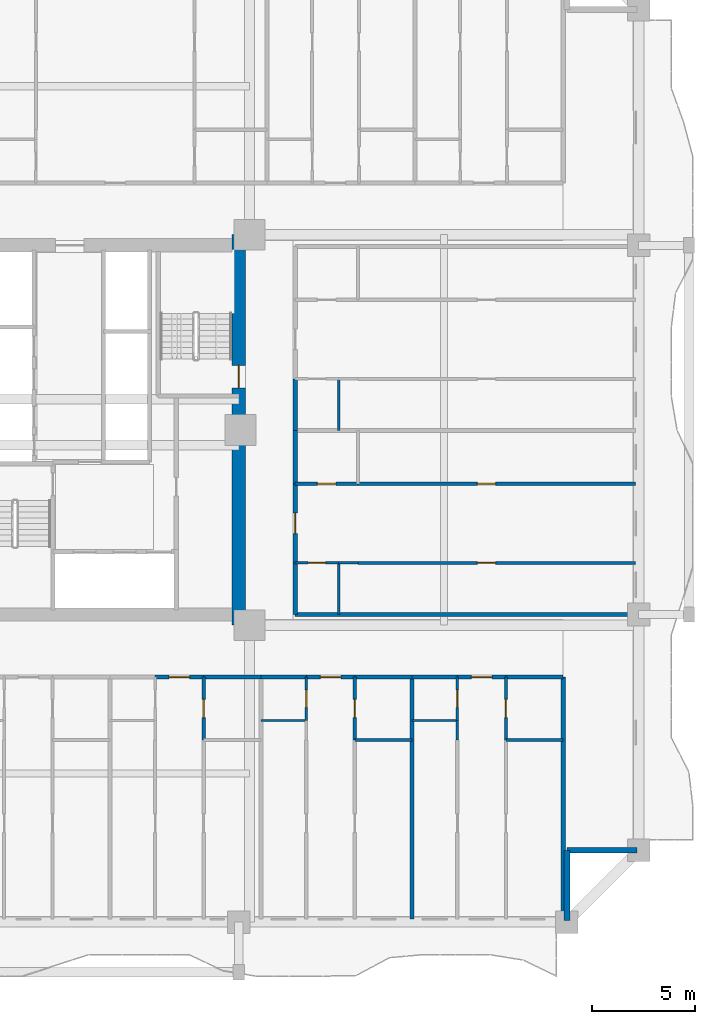
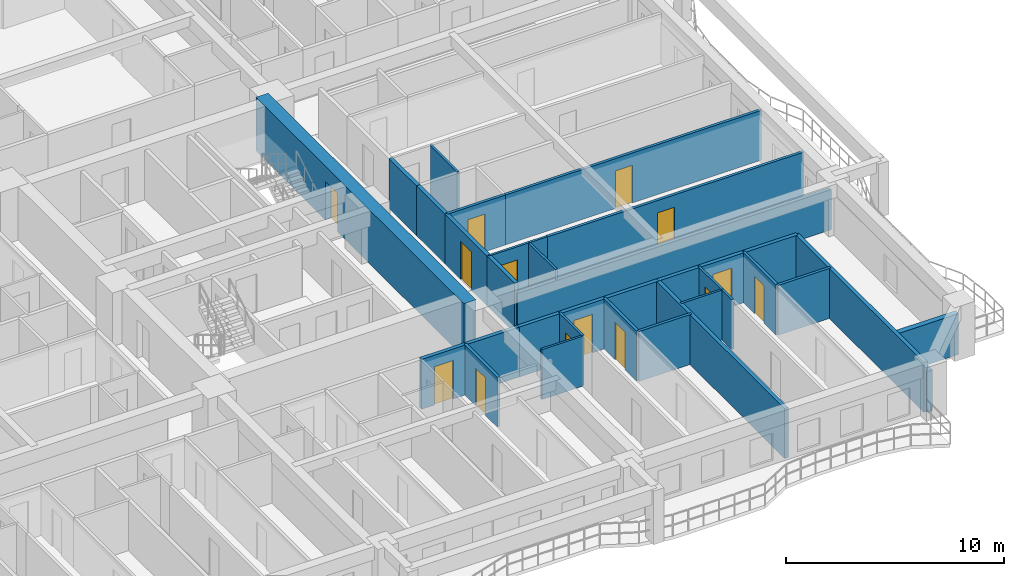
# One storey, part 6 of 17: 35 walls, 14 doors, 14 openings.
"""IFC4 building model written with IfcOpenShell, lengths in metres."""

from ifc_helpers import new_model, si_unit, direction, frame, frame_2d, origin, place, context, subcontext, project, spatial, rectangle, extrude, source, transform, mapped, material, layer, layer_set, type_object, element, fill, save


model = new_model("IFC4")

# Units and contexts
model_context = context("Model", 3, precision=1e-05, world=origin(), true_north=direction((0.0, 1.0)))
body_context = subcontext(model_context, "Body", "Model", "MODEL_VIEW")
ifc_project = project(units=[si_unit("LENGTHUNIT", "METRE"), si_unit("AREAUNIT", "SQUARE_METRE"), si_unit("VOLUMEUNIT", "CUBIC_METRE"), si_unit("PLANEANGLEUNIT", "RADIAN"), si_unit("MASSUNIT", "GRAM", prefix="KILO")], contexts=[model_context])

# Site, building, storey
site_placement = place(None, origin())
site = spatial("IfcSite", under=ifc_project, at=site_placement, CompositionType="ELEMENT")
building_placement = place(site_placement, origin())
building = spatial("IfcBuilding", under=site, at=building_placement, Name="Saelheon Loggia Tower", CompositionType="ELEMENT")
storey_placement = place(building_placement, frame((0.0, 0.0, 22.39990234375)))
storey = spatial("IfcBuildingStorey", under=building, at=storey_placement, Name="L06", CompositionType="ELEMENT", Elevation=22.39990234375)

# Wall, opening, door
ifc_material_1 = material(Name="Concrete C60/75", Category="concrete")
ifc_layer_1 = layer(ifc_material_1, 0.64990234375)
ifc_layer_set_1 = layer_set([ifc_layer_1], Name="Concrete C60/75")
wall_type_1 = type_object("IfcWallType", Name="Wall_CoreShear_650", PredefinedType="SHEAR", material=ifc_layer_set_1)
wall_1_placement = place(storey_placement, frame((44.5, 17.47998046875, 0.0), z_axis=(0.0, 0.0, 1.0), x_axis=(0.0, 1.0, 0.0)))
wall_1 = element("IfcWall", 1, at=wall_1_placement, inside=storey, type_object=wall_type_1, Name="L06 Core Shear Wall East", PredefinedType="SHEAR", context=body_context, shape_type="SweptSolid", body=[
    extrude(rectangle(XDim=19.0400390625, YDim=0.64990234375, at=frame_2d((9.52001953125, 0.0))), origin(), (0.0, 0.0, 1.0), 3.0),
])
opening_1_placement = place(wall_1_placement, frame((12.670166015625, 0.0, 0.0), z_axis=(0.0, 0.0, 1.0), x_axis=(-1.0, 0.0, 0.0)))
opening_1 = element("IfcOpeningElement", 2, at=opening_1_placement, cuts=wall_1, Name="Opening D-FD2", PredefinedType="OPENING", context=body_context, shape_type="SweptSolid", body=[
    extrude(rectangle(XDim=1.10009765625, YDim=2.14990234375, at=frame_2d((0.550048828125, 1.074951171875))), frame((0.0, 0.3369140625, 0.0), z_axis=(0.0, -1.0, 0.0), x_axis=(1.0, 0.0, 0.0)), (0.0, 0.0, 1.0), 0.673828125),
])
ifc_material_2 = material(Name="Galvanised Steel Fire Door", Category="steel")
door_type_1 = type_object("IfcDoorType", Name="Door_Fire_FD60_1100", OperationType="NOTDEFINED", PredefinedType="DOOR", material=ifc_material_2)
shared_shape_1 = source(origin(), body_context, "Body", "SweptSolid", [
    extrude(rectangle(XDim=1.10009765625, YDim=2.14990234375, at=frame_2d((0.550048828125, 1.074951171875))), frame((0.0, 0.02490234375, 0.0), z_axis=(0.0, -1.0, 0.0), x_axis=(1.0, 0.0, 0.0)), (0.0, 0.0, 1.0), 0.050048828125),
])
door_1_placement = place(opening_1_placement, origin())
door_1 = element("IfcDoor", 3, at=door_1_placement, inside=storey, type_object=door_type_1, Name="L06 Stair ST2 Corridor Door", OperationType="SINGLE_SWING_RIGHT", OverallHeight=2.14990234375, OverallWidth=1.10009765625, PredefinedType="DOOR", context=body_context, shape_type="MappedRepresentation", body=[
    mapped(shared_shape_1, transform((0.0, 0.0, 0.0), scale=1.0)),
])
fill(opening_1, door_1)

# Walls
ifc_material_3 = material(Name="Architectural Precast Concrete C40/50", Category="concrete")
ifc_layer_2 = layer(ifc_material_3, 0.280029296875)
ifc_layer_set_2 = layer_set([ifc_layer_2], Name="Architectural Precast Concrete C40/50")
wall_type_2 = type_object("IfcWallType", Name="Wall_Ext_Loggia_280", PredefinedType="SOLIDWALL", material=ifc_layer_set_2)
for number, where, z_axis, x_axis, name in (
    (4, (60.5, 3.080078125, 0.0), (0.0, 0.0, 1.0), (0.0, 1.0, 0.0), "L06 Corner Notch Precast Wall SE1"),
    (5, (60.5, 6.5, 0.0), (0.0, 0.0, 1.0), (1.0, 0.0, 0.0), "L06 Corner Notch Precast Wall SE2"),
):
    element("IfcWall", number, at=place(storey_placement, frame(where, z_axis=z_axis, x_axis=x_axis)), inside=storey, type_object=wall_type_2, Name=name, PredefinedType="SOLIDWALL", context=body_context, shape_type="SweptSolid", body=[
        extrude(rectangle(XDim=3.419921875, YDim=0.280029296875, at=frame_2d((1.7099609375, 0.0))), origin(), (0.0, 0.0, 1.0), 2.280029296875),
    ])

# Wall, opening, door
ifc_material_4 = material(Name="Lightweight Autoclaved Aerated Concrete Block and Acoustic Gypsum", Category="concrete")
ifc_layer_3 = layer(ifc_material_4, 0.14990234375)
ifc_layer_set_3 = layer_set([ifc_layer_3], Name="Lightweight Autoclaved Aerated Concrete Block and Acoustic Gypsum")
wall_type_3 = type_object("IfcWallType", Name="Wall_Part_150", PredefinedType="PARTITIONING", material=ifc_layer_set_3)
wall_2_placement = place(storey_placement, frame((42.789794921875, 14.949951171875, 0.0), z_axis=(0.0, 0.0, 1.0), x_axis=(0.0, -1.0, 0.0)))
wall_2 = element("IfcWall", 6, at=wall_2_placement, inside=storey, type_object=wall_type_3, Name="L06 S Partition U44", PredefinedType="PARTITIONING", context=body_context, shape_type="SweptSolid", body=[
    extrude(rectangle(XDim=3.070068359375, YDim=0.14990234375, at=frame_2d((1.53515625, 0.0))), origin(), (0.0, 0.0, 1.0), 2.7900390625),
])
opening_2_placement = place(wall_2_placement, frame((1.0849609375, 0.0, 0.0)))
opening_2 = element("IfcOpeningElement", 7, at=opening_2_placement, cuts=wall_2, Name="Opening D-IN2", PredefinedType="OPENING", context=body_context, shape_type="SweptSolid", body=[
    extrude(rectangle(XDim=0.89990234375, YDim=2.10009765625, at=frame_2d((0.449951171875, 1.050048828125))), frame((0.0, 0.0869140625, 0.0), z_axis=(0.0, -1.0, 0.0), x_axis=(1.0, 0.0, 0.0)), (0.0, 0.0, 1.0), 0.173828125),
])
ifc_material_5 = material(Name="Engineered Oak Flush Door", Category="timber")
door_type_2 = type_object("IfcDoorType", Name="Door_Int_900", OperationType="NOTDEFINED", PredefinedType="DOOR", material=ifc_material_5)
shared_shape_2 = source(origin(), body_context, "Body", "SweptSolid", [
    extrude(rectangle(XDim=0.89990234375, YDim=2.10009765625, at=frame_2d((0.449951171875, 1.050048828125))), frame((0.0, 0.02490234375, 0.0), z_axis=(0.0, -1.0, 0.0), x_axis=(1.0, 0.0, 0.0)), (0.0, 0.0, 1.0), 0.050048828125),
])
door_2_placement = place(opening_2_placement, origin())
door_2 = element("IfcDoor", 8, at=door_2_placement, inside=storey, type_object=door_type_2, Name="Unit U04 Dressing Closet Door", OperationType="SINGLE_SWING_LEFT", OverallHeight=2.10009765625, OverallWidth=0.89990234375, PredefinedType="DOOR", context=body_context, shape_type="MappedRepresentation", body=[
    mapped(shared_shape_2, transform((0.0, 0.0, 0.0), scale=1.0)),
])
fill(opening_2, door_2)

# Wall
wall_3_placement = place(storey_placement, frame((50.155517578125, 11.8798828125, 0.0), z_axis=(0.0, 0.0, 1.0), x_axis=(1.0, 0.0, 0.0)))
element("IfcWall", 9, at=wall_3_placement, inside=storey, type_object=wall_type_3, Name="L06 S Partition V51", PredefinedType="PARTITIONING", context=body_context, shape_type="SweptSolid", body=[
    extrude(rectangle(XDim=2.798828125, YDim=0.14990234375, at=frame_2d((1.3994140625, 0.0))), origin(), (0.0, 0.0, 1.0), 2.7900390625),
])

# Wall, opening, door
wall_4_placement = place(storey_placement, frame((50.155517578125, 14.949951171875, 0.0), z_axis=(0.0, 0.0, 1.0), x_axis=(0.0, -1.0, 0.0)))
wall_4 = element("IfcWall", 10, at=wall_4_placement, inside=storey, type_object=wall_type_3, Name="L06 S Partition U55", PredefinedType="PARTITIONING", context=body_context, shape_type="SweptSolid", body=[
    extrude(rectangle(XDim=3.070068359375, YDim=0.14990234375, at=frame_2d((1.53515625, 0.0))), origin(), (0.0, 0.0, 1.0), 2.7900390625),
])
opening_3_placement = place(wall_4_placement, frame((1.0849609375, 0.0, 0.0)))
opening_3 = element("IfcOpeningElement", 11, at=opening_3_placement, cuts=wall_4, Name="Opening D-IN2", PredefinedType="OPENING", context=body_context, shape_type="SweptSolid", body=[
    extrude(rectangle(XDim=0.89990234375, YDim=2.10009765625, at=frame_2d((0.449951171875, 1.050048828125))), frame((0.0, 0.0869140625, 0.0), z_axis=(0.0, -1.0, 0.0), x_axis=(1.0, 0.0, 0.0)), (0.0, 0.0, 1.0), 0.173828125),
])
door_3_placement = place(opening_3_placement, origin())
door_3 = element("IfcDoor", 12, at=door_3_placement, inside=storey, type_object=door_type_2, Name="Unit U05 Dressing Closet Door", OperationType="SINGLE_SWING_RIGHT", OverallHeight=2.10009765625, OverallWidth=0.89990234375, PredefinedType="DOOR", context=body_context, shape_type="MappedRepresentation", body=[
    mapped(shared_shape_2, transform((0.0, 0.0, 0.0), scale=1.0)),
])
fill(opening_3, door_3)

# Wall
wall_5_placement = place(storey_placement, frame((57.52099609375, 11.8798828125, 0.0), z_axis=(0.0, 0.0, 1.0), x_axis=(1.0, 0.0, 0.0)))
element("IfcWall", 13, at=wall_5_placement, inside=storey, type_object=wall_type_3, Name="L06 S Partition V62", PredefinedType="PARTITIONING", context=body_context, shape_type="SweptSolid", body=[
    extrude(rectangle(XDim=2.799072265625, YDim=0.14990234375, at=frame_2d((1.3994140625, 0.0))), origin(), (0.0, 0.0, 1.0), 2.7900390625),
])

# Wall, opening, door
wall_6_placement = place(storey_placement, frame((57.52099609375, 14.949951171875, 0.0), z_axis=(0.0, 0.0, 1.0), x_axis=(0.0, -1.0, 0.0)))
wall_6 = element("IfcWall", 14, at=wall_6_placement, inside=storey, type_object=wall_type_3, Name="L06 S Partition U66", PredefinedType="PARTITIONING", context=body_context, shape_type="SweptSolid", body=[
    extrude(rectangle(XDim=3.070068359375, YDim=0.14990234375, at=frame_2d((1.53515625, 0.0))), origin(), (0.0, 0.0, 1.0), 2.7900390625),
])
opening_4_placement = place(wall_6_placement, frame((1.0849609375, 0.0, 0.0)))
opening_4 = element("IfcOpeningElement", 15, at=opening_4_placement, cuts=wall_6, Name="Opening D-IN2", PredefinedType="OPENING", context=body_context, shape_type="SweptSolid", body=[
    extrude(rectangle(XDim=0.89990234375, YDim=2.10009765625, at=frame_2d((0.449951171875, 1.050048828125))), frame((0.0, 0.0869140625, 0.0), z_axis=(0.0, -1.0, 0.0), x_axis=(1.0, 0.0, 0.0)), (0.0, 0.0, 1.0), 0.173828125),
])
door_4_placement = place(opening_4_placement, origin())
door_4 = element("IfcDoor", 16, at=door_4_placement, inside=storey, type_object=door_type_2, Name="Unit U06 Dressing Closet Door", OperationType="SINGLE_SWING_LEFT", OverallHeight=2.10009765625, OverallWidth=0.89990234375, PredefinedType="DOOR", context=body_context, shape_type="MappedRepresentation", body=[
    mapped(shared_shape_2, transform((0.0, 0.0, 0.0), scale=1.0)),
])
fill(opening_4, door_4)

wall_7_placement = place(storey_placement, frame((50.320068359375, 20.512939453125, 0.0), z_axis=(0.0, 0.0, 1.0), x_axis=(1.0, 0.0, 0.0)))
wall_7 = element("IfcWall", 17, at=wall_7_placement, inside=storey, type_object=wall_type_3, Name="L06 E Partition U10", PredefinedType="PARTITIONING", context=body_context, shape_type="SweptSolid", body=[
    extrude(rectangle(XDim=13.530029296875, YDim=0.14990234375, at=frame_2d((6.76513671875, 0.0))), origin(), (0.0, 0.0, 1.0), 2.7900390625),
])
opening_5_placement = place(wall_7_placement, frame((5.808837890625, 0.0, 0.0)))
opening_5 = element("IfcOpeningElement", 18, at=opening_5_placement, cuts=wall_7, Name="Opening D-IN2", PredefinedType="OPENING", context=body_context, shape_type="SweptSolid", body=[
    extrude(rectangle(XDim=0.89990234375, YDim=2.10009765625, at=frame_2d((0.449951171875, 1.050048828125))), frame((0.0, 0.0869140625, 0.0), z_axis=(0.0, -1.0, 0.0), x_axis=(1.0, 0.0, 0.0)), (0.0, 0.0, 1.0), 0.173828125),
])
door_5_placement = place(opening_5_placement, origin())
door_5 = element("IfcDoor", 19, at=door_5_placement, inside=storey, type_object=door_type_2, Name="Unit U13 Kitchen Door", OperationType="SINGLE_SWING_RIGHT", OverallHeight=2.10009765625, OverallWidth=0.89990234375, PredefinedType="DOOR", context=body_context, shape_type="MappedRepresentation", body=[
    mapped(shared_shape_2, transform((0.0, 0.0, 0.0), scale=1.0)),
])
fill(opening_5, door_5)

wall_8_placement = place(storey_placement, frame((47.25, 24.375, 0.0), z_axis=(0.0, 0.0, 1.0), x_axis=(1.0, 0.0, 0.0)))
wall_8 = element("IfcWall", 20, at=wall_8_placement, inside=storey, type_object=wall_type_3, Name="L06 E Partition U11", PredefinedType="PARTITIONING", context=body_context, shape_type="SweptSolid", body=[
    extrude(rectangle(XDim=3.070068359375, YDim=0.14990234375, at=frame_2d((1.53515625, 0.0))), origin(), (0.0, 0.0, 1.0), 2.7900390625),
])
opening_6_placement = place(wall_8_placement, frame((1.0849609375, 0.0, 0.0)))
opening_6 = element("IfcOpeningElement", 21, at=opening_6_placement, cuts=wall_8, Name="Opening D-IN2", PredefinedType="OPENING", context=body_context, shape_type="SweptSolid", body=[
    extrude(rectangle(XDim=0.89990234375, YDim=2.10009765625, at=frame_2d((0.449951171875, 1.050048828125))), frame((0.0, 0.0869140625, 0.0), z_axis=(0.0, -1.0, 0.0), x_axis=(1.0, 0.0, 0.0)), (0.0, 0.0, 1.0), 0.173828125),
])
door_6_placement = place(opening_6_placement, origin())
door_6 = element("IfcDoor", 22, at=door_6_placement, inside=storey, type_object=door_type_2, Name="Unit U13 Dressing Closet Door", OperationType="SINGLE_SWING_LEFT", OverallHeight=2.10009765625, OverallWidth=0.89990234375, PredefinedType="DOOR", context=body_context, shape_type="MappedRepresentation", body=[
    mapped(shared_shape_2, transform((0.0, 0.0, 0.0), scale=1.0)),
])
fill(opening_6, door_6)

wall_9_placement = place(storey_placement, frame((50.320068359375, 24.375, 0.0), z_axis=(0.0, 0.0, 1.0), x_axis=(1.0, 0.0, 0.0)))
wall_9 = element("IfcWall", 23, at=wall_9_placement, inside=storey, type_object=wall_type_3, Name="L06 E Partition U12", PredefinedType="PARTITIONING", context=body_context, shape_type="SweptSolid", body=[
    extrude(rectangle(XDim=13.530029296875, YDim=0.14990234375, at=frame_2d((6.76513671875, 0.0))), origin(), (0.0, 0.0, 1.0), 2.7900390625),
])
opening_7_placement = place(wall_9_placement, frame((5.808837890625, 0.0, 0.0)))
opening_7 = element("IfcOpeningElement", 24, at=opening_7_placement, cuts=wall_9, Name="Opening D-IN2", PredefinedType="OPENING", context=body_context, shape_type="SweptSolid", body=[
    extrude(rectangle(XDim=0.89990234375, YDim=2.10009765625, at=frame_2d((0.449951171875, 1.050048828125))), frame((0.0, 0.0869140625, 0.0), z_axis=(0.0, -1.0, 0.0), x_axis=(1.0, 0.0, 0.0)), (0.0, 0.0, 1.0), 0.173828125),
])
door_7_placement = place(opening_7_placement, origin())
door_7 = element("IfcDoor", 25, at=door_7_placement, inside=storey, type_object=door_type_2, Name="Unit U13 Bedroom 1 Door", OperationType="SINGLE_SWING_RIGHT", OverallHeight=2.10009765625, OverallWidth=0.89990234375, PredefinedType="DOOR", context=body_context, shape_type="MappedRepresentation", body=[
    mapped(shared_shape_2, transform((0.0, 0.0, 0.0), scale=1.0)),
])
fill(opening_7, door_7)

# Wall
ifc_material_6 = material(Name="Double Acoustic Stud and Fireboard Partition", Category="gypsum")
ifc_layer_4 = layer(ifc_material_6, 0.199951171875)
ifc_layer_set_4 = layer_set([ifc_layer_4], Name="Double Acoustic Stud and Fireboard Partition")
wall_type_4 = type_object("IfcWallType", Name="Wall_Party_200", PredefinedType="PARTITIONING", material=ifc_layer_set_4)
wall_10_placement = place(storey_placement, frame((60.320068359375, 14.949951171875, 0.0), z_axis=(0.0, 0.0, 1.0), x_axis=(0.0, -1.0, 0.0)))
element("IfcWall", 26, at=wall_10_placement, inside=storey, type_object=wall_type_4, Name="L06 S Partition U02", PredefinedType="PARTITIONING", context=body_context, shape_type="SweptSolid", body=[
    extrude(rectangle(XDim=11.800048828125, YDim=0.199951171875, at=frame_2d((5.89990234375, 0.0))), origin(), (0.0, 0.0, 1.0), 2.7900390625),
])

# Wall, opening, door
wall_11_placement = place(storey_placement, frame((40.423095703125, 14.949951171875, 0.0), z_axis=(0.0, 0.0, 1.0), x_axis=(1.0, 0.0, 0.0)))
wall_11 = element("IfcWall", 27, at=wall_11_placement, inside=storey, type_object=wall_type_4, Name="L06 S Partition V37", PredefinedType="PARTITIONING", context=body_context, shape_type="SweptSolid", body=[
    extrude(rectangle(XDim=2.36669921875, YDim=0.199951171875, at=frame_2d((1.183349609375, 0.0))), origin(), (0.0, 0.0, 1.0), 2.7900390625),
])
opening_8_placement = place(wall_11_placement, frame((0.683349609375, 0.0, 0.0)))
opening_8 = element("IfcOpeningElement", 28, at=opening_8_placement, cuts=wall_11, Name="Opening D-FD1", PredefinedType="OPENING", context=body_context, shape_type="SweptSolid", body=[
    extrude(rectangle(XDim=1.0, YDim=2.14990234375, at=frame_2d((0.5, 1.074951171875))), frame((0.0, 0.112060546875, 0.0), z_axis=(0.0, -1.0, 0.0), x_axis=(1.0, 0.0, 0.0)), (0.0, 0.0, 1.0), 0.223876953125),
])
ifc_material_7 = material(Name="Fire-Rated Engineered Timber Entrance Door", Category="wood")
door_type_3 = type_object("IfcDoorType", Name="Door_Flat_FD30S", OperationType="NOTDEFINED", PredefinedType="DOOR", material=ifc_material_7)
shared_shape_3 = source(origin(), body_context, "Body", "SweptSolid", [
    extrude(rectangle(XDim=1.0, YDim=2.14990234375, at=frame_2d((0.5, 1.074951171875))), frame((0.0, 0.02490234375, 0.0), z_axis=(0.0, -1.0, 0.0), x_axis=(1.0, 0.0, 0.0)), (0.0, 0.0, 1.0), 0.050048828125),
])
door_8_placement = place(opening_8_placement, origin())
door_8 = element("IfcDoor", 29, at=door_8_placement, inside=storey, type_object=door_type_3, Name="Unit U04 Entrance Door", OperationType="SINGLE_SWING_RIGHT", OverallHeight=2.14990234375, OverallWidth=1.0, PredefinedType="DOOR", context=body_context, shape_type="MappedRepresentation", body=[
    mapped(shared_shape_3, transform((0.0, 0.0, 0.0), scale=1.0)),
])
fill(opening_8, door_8)

# Walls
wall_12_placement = place(storey_placement, frame((42.789794921875, 14.949951171875, 0.0), z_axis=(0.0, 0.0, 1.0), x_axis=(1.0, 0.0, 0.0)))
element("IfcWall", 30, at=wall_12_placement, inside=storey, type_object=wall_type_4, Name="L06 S Partition V38", PredefinedType="PARTITIONING", context=body_context, shape_type="SweptSolid", body=[
    extrude(rectangle(XDim=2.799072265625, YDim=0.199951171875, at=frame_2d((1.3994140625, 0.0))), origin(), (0.0, 0.0, 1.0), 2.7900390625),
])
wall_13_placement = place(storey_placement, frame((45.5888671875, 14.949951171875, 0.0), z_axis=(0.0, 0.0, 1.0), x_axis=(1.0, 0.0, 0.0)))
element("IfcWall", 31, at=wall_13_placement, inside=storey, type_object=wall_type_4, Name="L06 S Partition V47", PredefinedType="PARTITIONING", context=body_context, shape_type="SweptSolid", body=[
    extrude(rectangle(XDim=2.199951171875, YDim=0.199951171875, at=frame_2d((1.10009765625, 0.0))), origin(), (0.0, 0.0, 1.0), 2.7900390625),
])

# Wall, opening, door
wall_14_placement = place(storey_placement, frame((47.788818359375, 14.949951171875, 0.0), z_axis=(0.0, 0.0, 1.0), x_axis=(1.0, 0.0, 0.0)))
wall_14 = element("IfcWall", 32, at=wall_14_placement, inside=storey, type_object=wall_type_4, Name="L06 S Partition V48", PredefinedType="PARTITIONING", context=body_context, shape_type="SweptSolid", body=[
    extrude(rectangle(XDim=2.36669921875, YDim=0.199951171875, at=frame_2d((1.183349609375, 0.0))), origin(), (0.0, 0.0, 1.0), 2.7900390625),
])
opening_9_placement = place(wall_14_placement, frame((0.683349609375, 0.0, 0.0)))
opening_9 = element("IfcOpeningElement", 33, at=opening_9_placement, cuts=wall_14, Name="Opening D-FD1", PredefinedType="OPENING", context=body_context, shape_type="SweptSolid", body=[
    extrude(rectangle(XDim=1.0, YDim=2.14990234375, at=frame_2d((0.5, 1.074951171875))), frame((0.0, 0.112060546875, 0.0), z_axis=(0.0, -1.0, 0.0), x_axis=(1.0, 0.0, 0.0)), (0.0, 0.0, 1.0), 0.223876953125),
])
door_9_placement = place(opening_9_placement, origin())
door_9 = element("IfcDoor", 34, at=door_9_placement, inside=storey, type_object=door_type_3, Name="Unit U05 Entrance Door", OperationType="SINGLE_SWING_LEFT", OverallHeight=2.14990234375, OverallWidth=1.0, PredefinedType="DOOR", context=body_context, shape_type="MappedRepresentation", body=[
    mapped(shared_shape_3, transform((0.0, 0.0, 0.0), scale=1.0)),
])
fill(opening_9, door_9)

# Walls
wall_15_placement = place(storey_placement, frame((50.155517578125, 14.949951171875, 0.0), z_axis=(0.0, 0.0, 1.0), x_axis=(1.0, 0.0, 0.0)))
element("IfcWall", 35, at=wall_15_placement, inside=storey, type_object=wall_type_4, Name="L06 S Partition V49", PredefinedType="PARTITIONING", context=body_context, shape_type="SweptSolid", body=[
    extrude(rectangle(XDim=2.798828125, YDim=0.199951171875, at=frame_2d((1.3994140625, 0.0))), origin(), (0.0, 0.0, 1.0), 2.7900390625),
])
wall_16_placement = place(storey_placement, frame((52.954345703125, 14.949951171875, 0.0), z_axis=(0.0, 0.0, 1.0), x_axis=(0.0, -1.0, 0.0)))
element("IfcWall", 36, at=wall_16_placement, inside=storey, type_object=wall_type_4, Name="L06 S Partition U57", PredefinedType="PARTITIONING", context=body_context, shape_type="SweptSolid", body=[
    extrude(rectangle(XDim=11.800048828125, YDim=0.199951171875, at=frame_2d((5.89990234375, 0.0))), origin(), (0.0, 0.0, 1.0), 2.7900390625),
])
wall_17_placement = place(storey_placement, frame((52.954345703125, 14.949951171875, 0.0), z_axis=(0.0, 0.0, 1.0), x_axis=(1.0, 0.0, 0.0)))
element("IfcWall", 37, at=wall_17_placement, inside=storey, type_object=wall_type_4, Name="L06 S Partition V58", PredefinedType="PARTITIONING", context=body_context, shape_type="SweptSolid", body=[
    extrude(rectangle(XDim=2.199951171875, YDim=0.199951171875, at=frame_2d((1.10009765625, 0.0))), origin(), (0.0, 0.0, 1.0), 2.7900390625),
])

# Wall, opening, door
wall_18_placement = place(storey_placement, frame((55.154296875, 14.949951171875, 0.0), z_axis=(0.0, 0.0, 1.0), x_axis=(1.0, 0.0, 0.0)))
wall_18 = element("IfcWall", 38, at=wall_18_placement, inside=storey, type_object=wall_type_4, Name="L06 S Partition V59", PredefinedType="PARTITIONING", context=body_context, shape_type="SweptSolid", body=[
    extrude(rectangle(XDim=2.36669921875, YDim=0.199951171875, at=frame_2d((1.183349609375, 0.0))), origin(), (0.0, 0.0, 1.0), 2.7900390625),
])
opening_10_placement = place(wall_18_placement, frame((0.683349609375, 0.0, 0.0)))
opening_10 = element("IfcOpeningElement", 39, at=opening_10_placement, cuts=wall_18, Name="Opening D-FD1", PredefinedType="OPENING", context=body_context, shape_type="SweptSolid", body=[
    extrude(rectangle(XDim=1.0, YDim=2.14990234375, at=frame_2d((0.5, 1.074951171875))), frame((0.0, 0.112060546875, 0.0), z_axis=(0.0, -1.0, 0.0), x_axis=(1.0, 0.0, 0.0)), (0.0, 0.0, 1.0), 0.223876953125),
])
door_10_placement = place(opening_10_placement, origin())
door_10 = element("IfcDoor", 40, at=door_10_placement, inside=storey, type_object=door_type_3, Name="Unit U06 Entrance Door", OperationType="SINGLE_SWING_RIGHT", OverallHeight=2.14990234375, OverallWidth=1.0, PredefinedType="DOOR", context=body_context, shape_type="MappedRepresentation", body=[
    mapped(shared_shape_3, transform((0.0, 0.0, 0.0), scale=1.0)),
])
fill(opening_10, door_10)

# Walls
wall_19_placement = place(storey_placement, frame((57.52099609375, 14.949951171875, 0.0), z_axis=(0.0, 0.0, 1.0), x_axis=(1.0, 0.0, 0.0)))
element("IfcWall", 41, at=wall_19_placement, inside=storey, type_object=wall_type_4, Name="L06 S Partition V60", PredefinedType="PARTITIONING", context=body_context, shape_type="SweptSolid", body=[
    extrude(rectangle(XDim=2.799072265625, YDim=0.199951171875, at=frame_2d((1.3994140625, 0.0))), origin(), (0.0, 0.0, 1.0), 2.7900390625),
])
wall_20_placement = place(storey_placement, frame((47.25, 18.0, 0.0), z_axis=(0.0, 0.0, 1.0), x_axis=(1.0, 0.0, 0.0)))
element("IfcWall", 42, at=wall_20_placement, inside=storey, type_object=wall_type_4, Name="L06 E Partition U01", PredefinedType="PARTITIONING", context=body_context, shape_type="SweptSolid", body=[
    extrude(rectangle(XDim=16.60009765625, YDim=0.199951171875, at=frame_2d((8.300048828125, 0.0))), origin(), (0.0, 0.0, 1.0), 2.239990234375),
])
wall_21_placement = place(storey_placement, frame((47.25, 18.0, 0.0), z_axis=(0.0, 0.0, 1.0), x_axis=(0.0, 1.0, 0.0)))
element("IfcWall", 43, at=wall_21_placement, inside=storey, type_object=wall_type_4, Name="L06 E Partition V03", PredefinedType="PARTITIONING", context=body_context, shape_type="SweptSolid", body=[
    extrude(rectangle(XDim=2.512939453125, YDim=0.199951171875, at=frame_2d((1.25634765625, 0.0))), origin(), (0.0, 0.0, 1.0), 2.7900390625),
])

# Wall, opening, door
wall_22_placement = place(storey_placement, frame((47.25, 20.512939453125, 0.0), z_axis=(0.0, 0.0, 1.0), x_axis=(0.0, 1.0, 0.0)))
wall_22 = element("IfcWall", 44, at=wall_22_placement, inside=storey, type_object=wall_type_4, Name="L06 E Partition V04", PredefinedType="PARTITIONING", context=body_context, shape_type="SweptSolid", body=[
    extrude(rectangle(XDim=3.862060546875, YDim=0.199951171875, at=frame_2d((1.93115234375, 0.0))), origin(), (0.0, 0.0, 1.0), 2.7900390625),
])
opening_11_placement = place(wall_22_placement, frame((1.430908203125, 0.0, 0.0)))
opening_11 = element("IfcOpeningElement", 45, at=opening_11_placement, cuts=wall_22, Name="Opening D-FD1", PredefinedType="OPENING", context=body_context, shape_type="SweptSolid", body=[
    extrude(rectangle(XDim=1.0, YDim=2.14990234375, at=frame_2d((0.5, 1.074951171875))), frame((0.0, 0.112060546875, 0.0), z_axis=(0.0, -1.0, 0.0), x_axis=(1.0, 0.0, 0.0)), (0.0, 0.0, 1.0), 0.223876953125),
])
door_11_placement = place(opening_11_placement, origin())
door_11 = element("IfcDoor", 46, at=door_11_placement, inside=storey, type_object=door_type_3, Name="Unit U13 Entrance Door", OperationType="SINGLE_SWING_RIGHT", OverallHeight=2.14990234375, OverallWidth=1.0, PredefinedType="DOOR", context=body_context, shape_type="MappedRepresentation", body=[
    mapped(shared_shape_3, transform((0.0, 0.0, 0.0), scale=1.0)),
])
fill(opening_11, door_11)

# Walls
wall_23_placement = place(storey_placement, frame((47.25, 24.375, 0.0), z_axis=(0.0, 0.0, 1.0), x_axis=(0.0, 1.0, 0.0)))
element("IfcWall", 47, at=wall_23_placement, inside=storey, type_object=wall_type_4, Name="L06 E Partition V05", PredefinedType="PARTITIONING", context=body_context, shape_type="SweptSolid", body=[
    extrude(rectangle(XDim=2.60009765625, YDim=0.199951171875, at=frame_2d((1.300048828125, 0.0))), origin(), (0.0, 0.0, 1.0), 2.7900390625),
])
wall_24_placement = place(storey_placement, frame((47.25, 26.97509765625, 0.0), z_axis=(0.0, 0.0, 1.0), x_axis=(0.0, 1.0, 0.0)))
element("IfcWall", 48, at=wall_24_placement, inside=storey, type_object=wall_type_4, Name="L06 E Partition V14", PredefinedType="PARTITIONING", context=body_context, shape_type="SweptSolid", body=[
    extrude(rectangle(XDim=2.512939453125, YDim=0.199951171875, at=frame_2d((1.25634765625, 0.0))), origin(), (0.0, 0.0, 1.0), 2.7900390625),
])
ifc_material_8 = material(Name="Moisture-Resistant Cement Board Partition", Category="gypsum")
ifc_layer_5 = layer(ifc_material_8, 0.1201171875)
ifc_layer_set_5 = layer_set([ifc_layer_5], Name="Moisture-Resistant Cement Board Partition")
wall_type_5 = type_object("IfcWallType", Name="Wall_WetPart_120", PredefinedType="PARTITIONING", material=ifc_layer_set_5)
wall_25_placement = place(storey_placement, frame((45.5888671875, 12.830078125, 0.0), z_axis=(0.0, 0.0, 1.0), x_axis=(1.0, 0.0, 0.0)))
element("IfcWall", 49, at=wall_25_placement, inside=storey, type_object=wall_type_5, Name="L06 S Partition V50", PredefinedType="PARTITIONING", context=body_context, shape_type="SweptSolid", body=[
    extrude(rectangle(XDim=2.199951171875, YDim=0.1201171875, at=frame_2d((1.10009765625, 0.0))), origin(), (0.0, 0.0, 1.0), 2.7900390625),
])

# Wall, opening, door
wall_26_placement = place(storey_placement, frame((47.788818359375, 14.949951171875, 0.0), z_axis=(0.0, 0.0, 1.0), x_axis=(0.0, -1.0, 0.0)))
wall_26 = element("IfcWall", 50, at=wall_26_placement, inside=storey, type_object=wall_type_5, Name="L06 S Partition U52", PredefinedType="PARTITIONING", context=body_context, shape_type="SweptSolid", body=[
    extrude(rectangle(XDim=2.119873046875, YDim=0.1201171875, at=frame_2d((1.06005859375, 0.0))), origin(), (0.0, 0.0, 1.0), 2.7900390625),
])
opening_12_placement = place(wall_26_placement, frame((0.635009765625, 0.0, 0.0)))
opening_12 = element("IfcOpeningElement", 51, at=opening_12_placement, cuts=wall_26, Name="Opening D-BT1", PredefinedType="OPENING", context=body_context, shape_type="SweptSolid", body=[
    extrude(rectangle(XDim=0.85009765625, YDim=2.050048828125, at=frame_2d((0.425048828125, 1.02490234375))), frame((0.0, 0.072021484375, 0.0), z_axis=(0.0, -1.0, 0.0), x_axis=(1.0, 0.0, 0.0)), (0.0, 0.0, 1.0), 0.14404296875),
])
ifc_material_9 = material(Name="Moisture-Resistant Laminate Timber Door", Category="wood")
door_type_4 = type_object("IfcDoorType", Name="Door_Bath_850", OperationType="NOTDEFINED", PredefinedType="DOOR", material=ifc_material_9)
shared_shape_4 = source(origin(), body_context, "Body", "SweptSolid", [
    extrude(rectangle(XDim=0.85009765625, YDim=2.050048828125, at=frame_2d((0.425048828125, 1.02490234375))), frame((0.0, 0.02490234375, 0.0), z_axis=(0.0, -1.0, 0.0), x_axis=(1.0, 0.0, 0.0)), (0.0, 0.0, 1.0), 0.050048828125),
])
door_12_placement = place(opening_12_placement, origin())
door_12 = element("IfcDoor", 52, at=door_12_placement, inside=storey, type_object=door_type_4, Name="Unit U05 Bathroom Door", OperationType="SINGLE_SWING_RIGHT", OverallHeight=2.050048828125, OverallWidth=0.85009765625, PredefinedType="DOOR", context=body_context, shape_type="MappedRepresentation", body=[
    mapped(shared_shape_4, transform((0.0, 0.0, 0.0), scale=1.0)),
])
fill(opening_12, door_12)

# Wall
wall_27_placement = place(storey_placement, frame((52.954345703125, 12.830078125, 0.0), z_axis=(0.0, 0.0, 1.0), x_axis=(1.0, 0.0, 0.0)))
element("IfcWall", 53, at=wall_27_placement, inside=storey, type_object=wall_type_5, Name="L06 S Partition V61", PredefinedType="PARTITIONING", context=body_context, shape_type="SweptSolid", body=[
    extrude(rectangle(XDim=2.199951171875, YDim=0.1201171875, at=frame_2d((1.10009765625, 0.0))), origin(), (0.0, 0.0, 1.0), 2.7900390625),
])

# Wall, opening, door
wall_28_placement = place(storey_placement, frame((55.154296875, 14.949951171875, 0.0), z_axis=(0.0, 0.0, 1.0), x_axis=(0.0, -1.0, 0.0)))
wall_28 = element("IfcWall", 54, at=wall_28_placement, inside=storey, type_object=wall_type_5, Name="L06 S Partition U63", PredefinedType="PARTITIONING", context=body_context, shape_type="SweptSolid", body=[
    extrude(rectangle(XDim=2.119873046875, YDim=0.1201171875, at=frame_2d((1.06005859375, 0.0))), origin(), (0.0, 0.0, 1.0), 2.7900390625),
])
opening_13_placement = place(wall_28_placement, frame((0.635009765625, 0.0, 0.0)))
opening_13 = element("IfcOpeningElement", 55, at=opening_13_placement, cuts=wall_28, Name="Opening D-BT1", PredefinedType="OPENING", context=body_context, shape_type="SweptSolid", body=[
    extrude(rectangle(XDim=0.85009765625, YDim=2.050048828125, at=frame_2d((0.425048828125, 1.02490234375))), frame((0.0, 0.072021484375, 0.0), z_axis=(0.0, -1.0, 0.0), x_axis=(1.0, 0.0, 0.0)), (0.0, 0.0, 1.0), 0.14404296875),
])
door_13_placement = place(opening_13_placement, origin())
door_13 = element("IfcDoor", 56, at=door_13_placement, inside=storey, type_object=door_type_4, Name="Unit U06 Bathroom Door", OperationType="SINGLE_SWING_LEFT", OverallHeight=2.050048828125, OverallWidth=0.85009765625, PredefinedType="DOOR", context=body_context, shape_type="MappedRepresentation", body=[
    mapped(shared_shape_4, transform((0.0, 0.0, 0.0), scale=1.0)),
])
fill(opening_13, door_13)

# Walls
wall_29_placement = place(storey_placement, frame((55.154296875, 12.830078125, 0.0), z_axis=(0.0, 0.0, 1.0), x_axis=(0.0, -1.0, 0.0)))
element("IfcWall", 57, at=wall_29_placement, inside=storey, type_object=wall_type_5, Name="L06 S Partition U64", PredefinedType="PARTITIONING", context=body_context, shape_type="SweptSolid", body=[
    extrude(rectangle(XDim=0.9501953125, YDim=0.1201171875, at=frame_2d((0.47509765625, 0.0))), origin(), (0.0, 0.0, 1.0), 2.7900390625),
])
wall_30_placement = place(storey_placement, frame((49.3701171875, 18.0, 0.0), z_axis=(0.0, 0.0, 1.0), x_axis=(0.0, 1.0, 0.0)))
element("IfcWall", 58, at=wall_30_placement, inside=storey, type_object=wall_type_5, Name="L06 E Partition V06", PredefinedType="PARTITIONING", context=body_context, shape_type="SweptSolid", body=[
    extrude(rectangle(XDim=2.512939453125, YDim=0.1201171875, at=frame_2d((1.25634765625, 0.0))), origin(), (0.0, 0.0, 1.0), 2.7900390625),
])

# Wall, opening, door
wall_31_placement = place(storey_placement, frame((47.25, 20.512939453125, 0.0), z_axis=(0.0, 0.0, 1.0), x_axis=(1.0, 0.0, 0.0)))
wall_31 = element("IfcWall", 59, at=wall_31_placement, inside=storey, type_object=wall_type_5, Name="L06 E Partition U08", PredefinedType="PARTITIONING", context=body_context, shape_type="SweptSolid", body=[
    extrude(rectangle(XDim=2.1201171875, YDim=0.1201171875, at=frame_2d((1.06005859375, 0.0))), origin(), (0.0, 0.0, 1.0), 2.7900390625),
])
opening_14_placement = place(wall_31_placement, frame((0.635009765625, 0.0, 0.0)))
opening_14 = element("IfcOpeningElement", 60, at=opening_14_placement, cuts=wall_31, Name="Opening D-BT1", PredefinedType="OPENING", context=body_context, shape_type="SweptSolid", body=[
    extrude(rectangle(XDim=0.85009765625, YDim=2.050048828125, at=frame_2d((0.425048828125, 1.02490234375))), frame((0.0, 0.072021484375, 0.0), z_axis=(0.0, -1.0, 0.0), x_axis=(1.0, 0.0, 0.0)), (0.0, 0.0, 1.0), 0.14404296875),
])
door_14_placement = place(opening_14_placement, origin())
door_14 = element("IfcDoor", 61, at=door_14_placement, inside=storey, type_object=door_type_4, Name="Unit U13 Bathroom Door", OperationType="SINGLE_SWING_LEFT", OverallHeight=2.050048828125, OverallWidth=0.85009765625, PredefinedType="DOOR", context=body_context, shape_type="MappedRepresentation", body=[
    mapped(shared_shape_4, transform((0.0, 0.0, 0.0), scale=1.0)),
])
fill(opening_14, door_14)

# Walls
wall_32_placement = place(storey_placement, frame((49.3701171875, 20.512939453125, 0.0), z_axis=(0.0, 0.0, 1.0), x_axis=(1.0, 0.0, 0.0)))
element("IfcWall", 62, at=wall_32_placement, inside=storey, type_object=wall_type_5, Name="L06 E Partition U09", PredefinedType="PARTITIONING", context=body_context, shape_type="SweptSolid", body=[
    extrude(rectangle(XDim=0.949951171875, YDim=0.1201171875, at=frame_2d((0.47509765625, 0.0))), origin(), (0.0, 0.0, 1.0), 2.7900390625),
])
wall_33_placement = place(storey_placement, frame((49.3701171875, 26.97509765625, 0.0), z_axis=(0.0, 0.0, 1.0), x_axis=(0.0, 1.0, 0.0)))
element("IfcWall", 63, at=wall_33_placement, inside=storey, type_object=wall_type_5, Name="L06 E Partition V17", PredefinedType="PARTITIONING", context=body_context, shape_type="SweptSolid", body=[
    extrude(rectangle(XDim=2.512939453125, YDim=0.1201171875, at=frame_2d((1.25634765625, 0.0))), origin(), (0.0, 0.0, 1.0), 2.7900390625),
])

save(model, "model.ifc")
